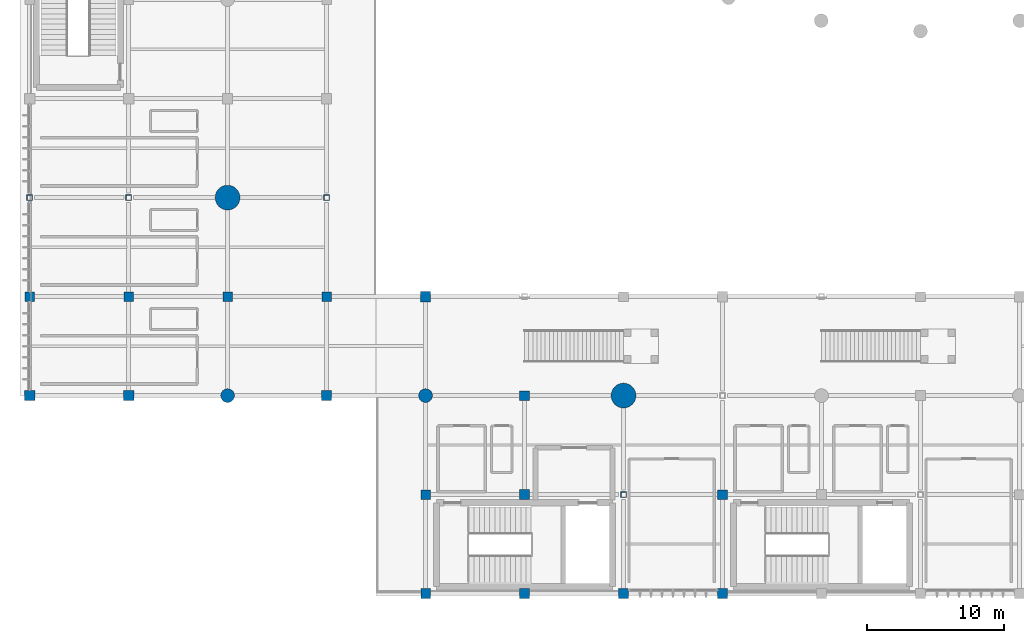
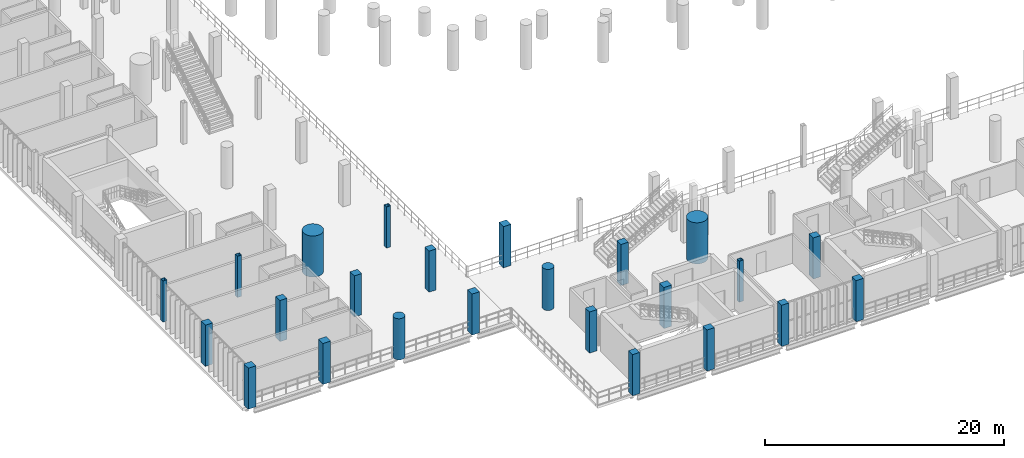
# One storey, part 1 of 130: 24 columns.
"""IFC4 building model written with IfcOpenShell, lengths in metres."""

import ifcopenshell
import ifcopenshell.guid

model = None  # the IFC model being written
_history = None  # IfcOwnerHistory: only IFC2X3 demands one
_inside = {}  # id of a spatial element -> (the spatial element, [elements in it])
_under = {}  # id of a project, library or spatial element -> (it, [spatial elements below it])
_declared = {}  # id of a project -> (the project, [libraries it declares])
_typed = {}  # id of a type object -> (the type object, [elements of that type])
_made_of = {}  # id of a material, layer set ... -> (it, [elements and type objects made of it])


def new_model(schema):
    """Start an empty IFC model of exactly this schema.

    Asked for "IFC4X3", IfcOpenShell would pick the latest addendum, in which some entities
    have other attributes; the version numbers below select the first issue.
    IFC2X3 requires an IfcOwnerHistory on every rooted entity: one is made here for all.
    """
    global model, _history
    if schema == "IFC4X3":
        model = ifcopenshell.file(schema_version=(4, 3, 0, 0))
    else:
        model = ifcopenshell.file(schema=schema)
    _inside.clear()
    _under.clear()
    _declared.clear()
    _typed.clear()
    _made_of.clear()
    _history = None
    if model.schema == "IFC2X3":
        org = make("IfcOrganization", Name="unknown")
        user = make(
            "IfcPersonAndOrganization",
            ThePerson=make("IfcPerson", FamilyName="unknown"),
            TheOrganization=org,
        )
        app = make(
            "IfcApplication",
            ApplicationDeveloper=org,
            Version="unknown",
            ApplicationFullName="unknown",
            ApplicationIdentifier="unknown",
        )
        _history = make(
            "IfcOwnerHistory",
            OwningUser=user,
            OwningApplication=app,
            ChangeAction="ADDED",
            CreationDate=0,
        )
    return model


def make(cls, **values):
    """One entity of the class cls with the attributes given. An attribute that is None is left unset."""
    return model.create_entity(
        cls, **{name: value for name, value in values.items() if value is not None}
    )


def rooted(cls, **values):
    """An entity with a GlobalId (a new one), such as an element, a storey or a relation."""
    return make(cls, GlobalId=ifcopenshell.guid.new(), OwnerHistory=_history, **values)


def si_unit(unit_type, name, prefix=None):
    """IfcSIUnit, for example si_unit("LENGTHUNIT", "METRE", prefix="MILLI")."""
    return make("IfcSIUnit", UnitType=unit_type, Prefix=prefix, Name=name)


def assignment(units):
    """IfcUnitAssignment: the units of a project."""
    return None if units is None else make("IfcUnitAssignment", Units=units)


def point(xyz):
    """IfcCartesianPoint."""
    return None if xyz is None else make("IfcCartesianPoint", Coordinates=xyz)


def direction(xyz):
    """IfcDirection."""
    return None if xyz is None else make("IfcDirection", DirectionRatios=xyz)


def frame(location, z_axis=None, x_axis=None):
    """IfcAxis2Placement3D, a coordinate frame: its origin and axes. An axis left out is left unset."""
    return make(
        "IfcAxis2Placement3D",
        Location=point(location),
        Axis=direction(z_axis),
        RefDirection=direction(x_axis),
    )


def frame_2d(location, x_axis=None):
    """IfcAxis2Placement2D, a coordinate frame in the plane: its origin and x axis."""
    return make(
        "IfcAxis2Placement2D", Location=point(location), RefDirection=direction(x_axis)
    )


def origin():
    """The frame at (0, 0, 0) with its axes left unset."""
    return frame((0.0, 0.0, 0.0))


def origin_2d():
    """The frame at (0, 0) in the plane with its x axis left unset."""
    return frame_2d((0.0, 0.0))


def place(relative_to, where):
    """IfcLocalPlacement: puts the frame where relative to a parent placement (None: the world)."""
    return make(
        "IfcLocalPlacement", PlacementRelTo=relative_to, RelativePlacement=where
    )


def context(
    kind, dimensions, precision=None, world=None, true_north=None, identifier=None
):
    """IfcGeometricRepresentationContext, for example the 3D "Model" context."""
    return make(
        "IfcGeometricRepresentationContext",
        ContextIdentifier=identifier,
        ContextType=kind,
        CoordinateSpaceDimension=dimensions,
        Precision=precision,
        WorldCoordinateSystem=world,
        TrueNorth=true_north,
    )


def subcontext(parent, identifier, kind, view, scale=None):
    """IfcGeometricRepresentationSubContext, for example "Body" below "Model"."""
    return make(
        "IfcGeometricRepresentationSubContext",
        ContextIdentifier=identifier,
        ContextType=kind,
        ParentContext=parent,
        TargetScale=scale,
        TargetView=view,
    )


def project(units=None, contexts=None):
    """IfcProject with its units and contexts."""
    return rooted(
        "IfcProject",
        Name="project",
        RepresentationContexts=contexts,
        UnitsInContext=assignment(units),
    )


def spatial(cls, under=None, at=None, **own):
    """A site, building, storey or space (cls), placed at a placement, below another one or the project."""
    s = rooted(cls, ObjectPlacement=at, **own)
    if under is not None:
        _under.setdefault(under.id(), (under, []))[1].append(s)
    return s


def profile(cls, at=None, kind="AREA", **sizes):
    """A parametric profile (cls). Its sizes go by their IFC names, for example OverallWidth=200.0."""
    return make(cls, ProfileType=kind, Position=at, **sizes)


def rectangle(**sizes):
    """IfcRectangleProfileDef."""
    return profile("IfcRectangleProfileDef", **sizes)


def hollow_rectangle(**sizes):
    """IfcRectangleHollowProfileDef."""
    return profile("IfcRectangleHollowProfileDef", **sizes)


def circle(**sizes):
    """IfcCircleProfileDef."""
    return profile("IfcCircleProfileDef", **sizes)


def extrude(swept, where, along, depth):
    """IfcExtrudedAreaSolid: the profile swept, set in the frame where, extruded along a direction by depth."""
    return make(
        "IfcExtrudedAreaSolid",
        SweptArea=swept,
        Position=where,
        ExtrudedDirection=direction(along),
        Depth=depth,
    )


def shape(context_of_items, identifier, shape_type, items):
    """IfcShapeRepresentation: the items that make up one representation, for example the "Body"."""
    return make(
        "IfcShapeRepresentation",
        ContextOfItems=context_of_items,
        RepresentationIdentifier=identifier,
        RepresentationType=shape_type,
        Items=items,
    )


def material(Name=None, Category=None):
    """IfcMaterial."""
    return make("IfcMaterial", Name=Name, Category=Category)


def material_profile(
    of_material, cross_section, Name=None, Category=None, Priority=None
):
    """IfcMaterialProfile: a cross section and its material."""
    return make(
        "IfcMaterialProfile",
        Name=Name,
        Material=of_material,
        Profile=cross_section,
        Priority=Priority,
        Category=Category,
    )


def profile_set(profiles, Name=None, composite=None):
    """IfcMaterialProfileSet."""
    return make(
        "IfcMaterialProfileSet",
        Name=Name,
        MaterialProfiles=profiles,
        CompositeProfile=composite,
    )


def made_of(thing, what):
    """Note that an element or type object is made of a material, layer set ...; save() writes the relation."""
    if what is not None:
        _made_of.setdefault(what.id(), (what, []))[1].append(thing)
    return thing


def type_object(cls, material=None, **own):
    """A type object (cls), such as IfcWallType, which elements share."""
    return made_of(rooted(cls, **own), material)


def element(
    cls,
    number,
    at=None,
    inside=None,
    cuts=None,
    type_object=None,
    material=None,
    context=None,
    identifier="Body",
    shape_type=None,
    held_by="IfcProductDefinitionShape",
    body=None,
    shapes=None,
    **own,
):
    """One element of the class cls, such as IfcWall. Its Tag is "e" and its number.

    at: its placement. inside: the storey or other place that contains it. cuts: it is an
    opening in that element (IfcRelVoidsElement). A single representation is given by context,
    identifier, shape_type and body (its items); several are given by shapes. held_by: the class
    of the entity that holds the representations. save() writes the other relations.
    """
    e = rooted(cls, Tag="e%d" % number, ObjectPlacement=at, **own)
    if body is not None:
        shapes = [shape(context, identifier, shape_type, body)]
    if shapes is not None:
        e.Representation = make(held_by, Representations=shapes)
    if inside is not None:
        _inside.setdefault(inside.id(), (inside, []))[1].append(e)
    if cuts is not None:
        rooted(
            "IfcRelVoidsElement", RelatingBuildingElement=cuts, RelatedOpeningElement=e
        )
    if type_object is not None:
        _typed.setdefault(type_object.id(), (type_object, []))[1].append(e)
    return made_of(e, material)


def aggregate(whole, parts):
    """IfcRelAggregates: a whole, such as a stair, and the parts it consists of."""
    return rooted("IfcRelAggregates", RelatingObject=whole, RelatedObjects=parts)


def save(model, path):
    """Write the relations noted so far, then the file.

    IfcRelAggregates (storeys below a building ...), IfcRelContainedInSpatialStructure (elements
    in a storey), IfcRelDefinesByType, IfcRelAssociatesMaterial and IfcRelDeclares: one each for
    every whole, place, type object, material and project.
    """
    for whole, parts in _under.values():
        aggregate(whole, parts)
    for where, things in _inside.values():
        rooted(
            "IfcRelContainedInSpatialStructure",
            RelatedElements=things,
            RelatingStructure=where,
        )
    for kind, things in _typed.values():
        rooted("IfcRelDefinesByType", RelatedObjects=things, RelatingType=kind)
    for what, things in _made_of.values():
        rooted("IfcRelAssociatesMaterial", RelatedObjects=things, RelatingMaterial=what)
    for by, libraries in _declared.values():
        rooted("IfcRelDeclares", RelatingContext=by, RelatedDefinitions=libraries)
    model.write(path)


model = new_model("IFC4")

# Units and contexts
model_context = context("Model", 3, precision=1e-05, world=origin(), true_north=direction((0.0, 1.0)))
body_context = subcontext(model_context, "Body", "Model", "MODEL_VIEW")
ifc_project = project(units=[si_unit("LENGTHUNIT", "METRE"), si_unit("AREAUNIT", "SQUARE_METRE"), si_unit("VOLUMEUNIT", "CUBIC_METRE"), si_unit("PLANEANGLEUNIT", "RADIAN"), si_unit("MASSUNIT", "GRAM", prefix="KILO")], contexts=[model_context])

# Site, building, storey
site_placement = place(None, origin())
site = spatial("IfcSite", under=ifc_project, at=site_placement, CompositionType="ELEMENT")
building_placement = place(site_placement, origin())
building = spatial("IfcBuilding", under=site, at=building_placement, Name="Qandorah Velis Arena", CompositionType="ELEMENT")
storey_placement = place(building_placement, frame((0.0, 0.0, 9.60009765625)))
storey = spatial("IfcBuildingStorey", under=building, at=storey_placement, Name="L02", CompositionType="ELEMENT", Elevation=9.60009765625)

# Columns
ifc_material_1 = material(Name="Concrete C50/60", Category="concrete")
ifc_material_profile_1 = material_profile(ifc_material_1, circle(Radius=0.89990234375, at=origin_2d()), Name="MC D1800")
ifc_profile_set_1 = profile_set([ifc_material_profile_1], Name="Concrete C50/60")
column_type_1 = type_object("IfcColumnType", Name="STR-COL-MC1800", PredefinedType="COLUMN", material=ifc_profile_set_1)
for number, where, z_axis, x_axis, name in (
    (1, (14.39990234375, 28.800048828125, 0.0), (0.0, 0.0, 1.0), (1.0, 0.0, 0.0), "Mega column MC1 (L02)"),
    (2, (43.199951171875, 14.39990234375, 0.0), (0.0, 0.0, 1.0), (1.0, 0.0, 0.0), "Mega column MC4 (L02)"),
):
    element("IfcColumn", number, at=place(storey_placement, frame(where, z_axis=z_axis, x_axis=x_axis)), inside=storey, type_object=column_type_1, Name=name, PredefinedType="COLUMN", context=body_context, shape_type="SweptSolid", body=[
        extrude(circle(Radius=0.89990234375, at=origin_2d()), origin(), (0.0, 0.0, 1.0), 4.199951171875),
    ])
ifc_material_2 = material(Name="Concrete C40/50", Category="concrete")
ifc_material_profile_2 = material_profile(ifc_material_2, rectangle(XDim=0.699951171875, YDim=0.699951171875, at=origin_2d()), Name="RC COL 700x700")
ifc_profile_set_2 = profile_set([ifc_material_profile_2], Name="Concrete C40/50")
column_type_2 = type_object("IfcColumnType", Name="STR-COL-RC700", PredefinedType="COLUMN", material=ifc_profile_set_2)
for number, where, z_axis, x_axis, name in (
    (3, (0.0, 21.60009765625, 0.0), (0.0, 0.0, 1.0), (1.0, 0.0, 0.0), "Structural column L02-001"),
    (4, (7.199951171875, 21.60009765625, 0.0), (0.0, 0.0, 1.0), (1.0, 0.0, 0.0), "Structural column L02-016"),
    (5, (14.39990234375, 21.60009765625, 0.0), (0.0, 0.0, 1.0), (1.0, 0.0, 0.0), "Structural column L02-031"),
    (6, (21.60009765625, 21.60009765625, 0.0), (0.0, 0.0, 1.0), (1.0, 0.0, 0.0), "Structural column L02-046"),
    (7, (28.800048828125, 0.0, 0.0), (0.0, 0.0, 1.0), (1.0, 0.0, 0.0), "Structural column L02-060"),
    (8, (28.800048828125, 7.199951171875, 0.0), (0.0, 0.0, 1.0), (1.0, 0.0, 0.0), "Structural column L02-061"),
    (9, (36.0, 0.0, 0.0), (0.0, 0.0, 1.0), (1.0, 0.0, 0.0), "Structural column L02-068"),
    (10, (36.0, 14.39990234375, 0.0), (0.0, 0.0, 1.0), (1.0, 0.0, 0.0), "Structural column L02-070"),
    (11, (43.199951171875, 0.0, 0.0), (0.0, 0.0, 1.0), (1.0, 0.0, 0.0), "Structural column L02-076"),
    (12, (50.39990234375, 0.0, 0.0), (0.0, 0.0, 1.0), (1.0, 0.0, 0.0), "Structural column L02-084"),
    (13, (50.39990234375, 7.199951171875, 0.0), (0.0, 0.0, 1.0), (1.0, 0.0, 0.0), "Structural column L02-085"),
):
    element("IfcColumn", number, at=place(storey_placement, frame(where, z_axis=z_axis, x_axis=x_axis)), inside=storey, type_object=column_type_2, Name=name, PredefinedType="COLUMN", context=body_context, shape_type="SweptSolid", body=[
        extrude(rectangle(XDim=0.699951171875, YDim=0.699951171875, at=origin_2d()), origin(), (0.0, 0.0, 1.0), 4.199951171875),
    ])
ifc_material_profile_3 = material_profile(ifc_material_2, rectangle(XDim=0.75, YDim=0.75, at=origin_2d()), Name="RC COL 750x750")
ifc_profile_set_3 = profile_set([ifc_material_profile_3], Name="Concrete C40/50")
column_type_3 = type_object("IfcColumnType", Name="STR-COL-RC750", PredefinedType="COLUMN", material=ifc_profile_set_3)
for number, where, z_axis, x_axis, name in (
    (14, (0.0, 14.39990234375, 0.0), (0.0, 0.0, 1.0), (1.0, 0.0, 0.0), "Structural column L02-000"),
    (15, (7.199951171875, 14.39990234375, 0.0), (0.0, 0.0, 1.0), (1.0, 0.0, 0.0), "Structural column L02-015"),
    (16, (21.60009765625, 14.39990234375, 0.0), (0.0, 0.0, 1.0), (1.0, 0.0, 0.0), "Structural column L02-045"),
    (17, (28.800048828125, 21.60009765625, 0.0), (0.0, 0.0, 1.0), (1.0, 0.0, 0.0), "Structural column L02-063"),
    (18, (36.0, 7.199951171875, 0.0), (0.0, 0.0, 1.0), (1.0, 0.0, 0.0), "Structural column L02-069"),
):
    element("IfcColumn", number, at=place(storey_placement, frame(where, z_axis=z_axis, x_axis=x_axis)), inside=storey, type_object=column_type_3, Name=name, PredefinedType="COLUMN", context=body_context, shape_type="SweptSolid", body=[
        extrude(rectangle(XDim=0.75, YDim=0.75, at=origin_2d()), origin(), (0.0, 0.0, 1.0), 4.199951171875),
    ])
ifc_material_profile_4 = material_profile(ifc_material_2, circle(Radius=0.5, at=origin_2d()), Name="RC D1000")
ifc_profile_set_4 = profile_set([ifc_material_profile_4], Name="Concrete C40/50")
column_type_4 = type_object("IfcColumnType", Name="STR-COL-RCD1000", PredefinedType="COLUMN", material=ifc_profile_set_4)
for number, where, z_axis, x_axis, name in (
    (19, (14.39990234375, 14.39990234375, 0.0), (0.0, 0.0, 1.0), (1.0, 0.0, 0.0), "Bowl drum ring column L02-030"),
    (20, (28.800048828125, 14.39990234375, 0.0), (0.0, 0.0, 1.0), (1.0, 0.0, 0.0), "Bowl drum ring column L02-062"),
):
    element("IfcColumn", number, at=place(storey_placement, frame(where, z_axis=z_axis, x_axis=x_axis)), inside=storey, type_object=column_type_4, Name=name, PredefinedType="COLUMN", context=body_context, shape_type="SweptSolid", body=[
        extrude(circle(Radius=0.5, at=origin_2d()), origin(), (0.0, 0.0, 1.0), 4.199951171875),
    ])
ifc_material_3 = material(Name="Steel S355", Category="steel")
ifc_material_profile_5 = material_profile(ifc_material_3, hollow_rectangle(XDim=0.39990234375, YDim=0.39990234375, WallThickness=0.02001953125, at=origin_2d()), Name="SHS 400x400x20")
ifc_profile_set_5 = profile_set([ifc_material_profile_5], Name="Steel S355")
column_type_5 = type_object("IfcColumnType", Name="STR-COL-SHS400", PredefinedType="COLUMN", material=ifc_profile_set_5)
for number, where, z_axis, x_axis, name in (
    (21, (0.0, 28.800048828125, 0.0), (0.0, 0.0, 1.0), (1.0, 0.0, 0.0), "Structural column L02-002"),
    (22, (7.199951171875, 28.800048828125, 0.0), (0.0, 0.0, 1.0), (1.0, 0.0, 0.0), "Structural column L02-017"),
    (23, (21.60009765625, 28.800048828125, 0.0), (0.0, 0.0, 1.0), (1.0, 0.0, 0.0), "Structural column L02-047"),
    (24, (43.199951171875, 7.199951171875, 0.0), (0.0, 0.0, 1.0), (1.0, 0.0, 0.0), "Structural column L02-077"),
):
    element("IfcColumn", number, at=place(storey_placement, frame(where, z_axis=z_axis, x_axis=x_axis)), inside=storey, type_object=column_type_5, Name=name, PredefinedType="COLUMN", context=body_context, shape_type="SweptSolid", body=[
        extrude(hollow_rectangle(XDim=0.39990234375, YDim=0.39990234375, WallThickness=0.02001953125, at=origin_2d()), origin(), (0.0, 0.0, 1.0), 4.199951171875),
    ])

save(model, "model.ifc")
